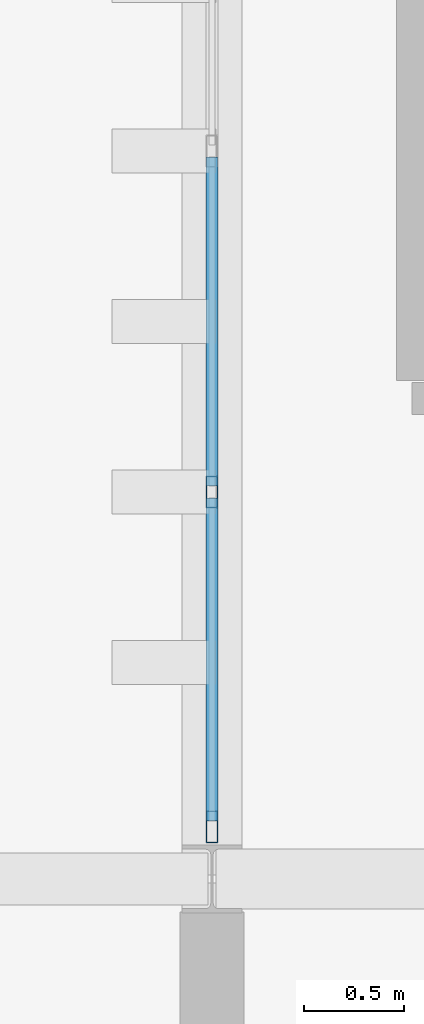
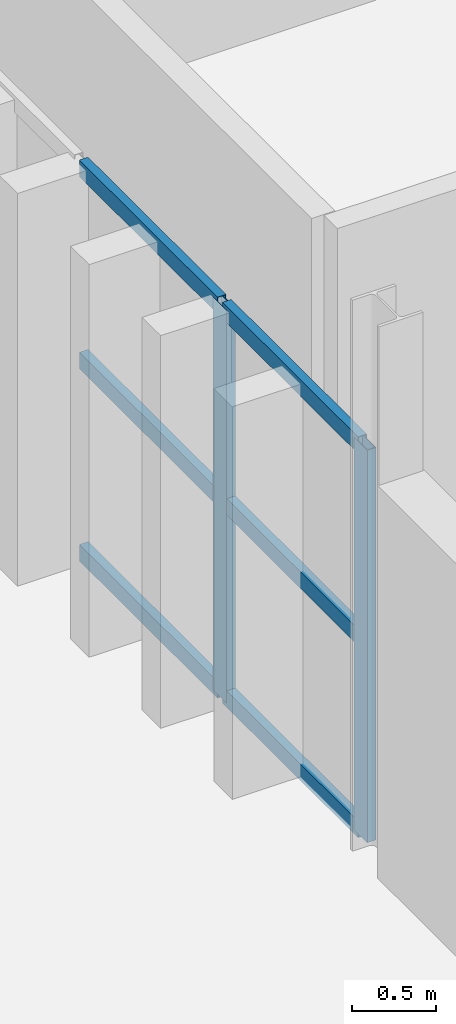
# One storey, part 34 of 102: 8 members, 1 element without a shape of its own.
"""IFC4 building model written with IfcOpenShell, lengths in metres."""

from ifc_helpers import new_model, si_unit, direction, frame, origin, origin_2d, place, context, subcontext, project, spatial, hollow_rectangle, extrude, material, layer, layer_set, material_profile, profile_set, type_object, element, aggregate, save


model = new_model("IFC4")

# Units and contexts
model_context = context("Model", 3, precision=1e-05, world=origin(), true_north=direction((0.0, 1.0)))
body_context = subcontext(model_context, "Body", "Model", "MODEL_VIEW")
ifc_project = project(units=[si_unit("LENGTHUNIT", "METRE"), si_unit("AREAUNIT", "SQUARE_METRE"), si_unit("VOLUMEUNIT", "CUBIC_METRE"), si_unit("PLANEANGLEUNIT", "RADIAN"), si_unit("MASSUNIT", "GRAM", prefix="KILO")], contexts=[model_context])

# Site, building, storey
site_placement = place(None, origin())
site = spatial("IfcSite", under=ifc_project, at=site_placement, CompositionType="ELEMENT")
building_placement = place(site_placement, origin())
building = spatial("IfcBuilding", under=site, at=building_placement, Name="Barlavento Convention Centre", CompositionType="ELEMENT")
storey_placement = place(building_placement, frame((0.0, 0.0, 22.800048828125)))
storey = spatial("IfcBuildingStorey", under=building, at=storey_placement, Name="L04", CompositionType="ELEMENT", Elevation=22.800048828125)

# Curtain wall, members
ifc_material_1 = material(Name="Powder-coated aluminium and Low-E glass", Category="aluminium")
ifc_layer = layer(ifc_material_1, 0.18505859375)
ifc_layer_set = layer_set([ifc_layer], Name="ARC-CW-CONF-L04")
curtain_wall_type = type_object("IfcCurtainWallType", Name="ARC-CW-CONF-L04", PredefinedType="NOTDEFINED", material=ifc_layer_set)
curtain_wall_placement = place(storey_placement, origin())
curtain_wall = element("IfcCurtainWall", 1, at=curtain_wall_placement, inside=storey, type_object=curtain_wall_type, Name="L04 unitised curtain wall CW09", PredefinedType="NOTDEFINED")
ifc_material_2 = material(Name="Powder-coated aluminium", Category="aluminium")
ifc_material_profile_1 = material_profile(ifc_material_2, hollow_rectangle(XDim=0.06005859375, YDim=0.159912109375, WallThickness=0.00390625, at=origin_2d()), Name="AL-MULL 60x160x4")
ifc_profile_set_1 = profile_set([ifc_material_profile_1], Name="Powder-coated aluminium")
member_type_1 = type_object("IfcMemberType", Name="ARC-CWM-60X160", PredefinedType="MULLION", material=ifc_profile_set_1)
member_1_placement = place(storey_placement, frame((153.0, 45.260009765625, 0.0), z_axis=(0.0, 0.0, 1.0), x_axis=(-1.0, 0.0, 0.0)))
member_1 = element("IfcMember", 2, at=member_1_placement, type_object=member_type_1, Name="CW09 mullion 1", PredefinedType="MULLION", context=body_context, shape_type="SweptSolid", body=[
    extrude(hollow_rectangle(XDim=0.06005859375, YDim=0.159912109375, WallThickness=0.00390625, at=origin_2d()), origin(), (0.0, 0.0, 1.0), 2.849853515625),
])
member_2_placement = place(storey_placement, frame((153.0, 46.931884765625, 0.0), z_axis=(0.0, 0.0, 1.0), x_axis=(-1.0, 0.0, 0.0)))
member_2 = element("IfcMember", 3, at=member_2_placement, type_object=member_type_1, Name="CW09 mullion 2", PredefinedType="MULLION", context=body_context, shape_type="SweptSolid", body=[
    extrude(hollow_rectangle(XDim=0.06005859375, YDim=0.159912109375, WallThickness=0.00390625, at=origin_2d()), origin(), (0.0, 0.0, 1.0), 2.849853515625),
])
ifc_material_profile_2 = material_profile(ifc_material_2, hollow_rectangle(XDim=0.06005859375, YDim=0.1201171875, WallThickness=0.00390625, at=origin_2d()), Name="AL-TRAN 60x120x4")
ifc_profile_set_2 = profile_set([ifc_material_profile_2], Name="Powder-coated aluminium")
member_type_2 = type_object("IfcMemberType", Name="ARC-CWT-60X120", PredefinedType="USERDEFINED", material=ifc_profile_set_2)
member_3_placement = place(storey_placement, frame((153.0, 45.2900390625, 0.030029296875), z_axis=(0.0, 1.0, 0.0), x_axis=(-1.0, 0.0, 0.0)))
member_3 = element("IfcMember", 4, at=member_3_placement, type_object=member_type_2, Name="CW09 transom 1.1", ObjectType="TRANSOM", PredefinedType="USERDEFINED", context=body_context, shape_type="SweptSolid", body=[
    extrude(hollow_rectangle(XDim=0.06005859375, YDim=0.1201171875, WallThickness=0.00390625, at=origin_2d()), origin(), (0.0, 0.0, 1.0), 1.612060546875),
])
member_4_placement = place(storey_placement, frame((153.0, 45.2900390625, 1.425048828125), z_axis=(0.0, 1.0, 0.0), x_axis=(-1.0, 0.0, 0.0)))
member_4 = element("IfcMember", 5, at=member_4_placement, type_object=member_type_2, Name="CW09 transom 1.2", ObjectType="TRANSOM", PredefinedType="USERDEFINED", context=body_context, shape_type="SweptSolid", body=[
    extrude(hollow_rectangle(XDim=0.06005859375, YDim=0.1201171875, WallThickness=0.00390625, at=origin_2d()), origin(), (0.0, 0.0, 1.0), 1.612060546875),
])
member_5_placement = place(storey_placement, frame((153.0, 45.2900390625, 2.820068359375), z_axis=(0.0, 1.0, 0.0), x_axis=(-1.0, 0.0, 0.0)))
member_5 = element("IfcMember", 6, at=member_5_placement, type_object=member_type_2, Name="CW09 transom 1.3", ObjectType="TRANSOM", PredefinedType="USERDEFINED", context=body_context, shape_type="SweptSolid", body=[
    extrude(hollow_rectangle(XDim=0.06005859375, YDim=0.1201171875, WallThickness=0.00390625, at=origin_2d()), origin(), (0.0, 0.0, 1.0), 1.612060546875),
])
member_6_placement = place(storey_placement, frame((153.0, 46.9619140625, 0.030029296875), z_axis=(0.0, 1.0, 0.0), x_axis=(-1.0, 0.0, 0.0)))
member_6 = element("IfcMember", 7, at=member_6_placement, type_object=member_type_2, Name="CW09 transom 2.1", ObjectType="TRANSOM", PredefinedType="USERDEFINED", context=body_context, shape_type="SweptSolid", body=[
    extrude(hollow_rectangle(XDim=0.06005859375, YDim=0.1201171875, WallThickness=0.00390625, at=origin_2d()), origin(), (0.0, 0.0, 1.0), 1.64208984375),
])
member_7_placement = place(storey_placement, frame((153.0, 46.9619140625, 1.425048828125), z_axis=(0.0, 1.0, 0.0), x_axis=(-1.0, 0.0, 0.0)))
member_7 = element("IfcMember", 8, at=member_7_placement, type_object=member_type_2, Name="CW09 transom 2.2", ObjectType="TRANSOM", PredefinedType="USERDEFINED", context=body_context, shape_type="SweptSolid", body=[
    extrude(hollow_rectangle(XDim=0.06005859375, YDim=0.1201171875, WallThickness=0.00390625, at=origin_2d()), origin(), (0.0, 0.0, 1.0), 1.64208984375),
])
member_8_placement = place(storey_placement, frame((153.0, 46.9619140625, 2.820068359375), z_axis=(0.0, 1.0, 0.0), x_axis=(-1.0, 0.0, 0.0)))
member_8 = element("IfcMember", 9, at=member_8_placement, type_object=member_type_2, Name="CW09 transom 2.3", ObjectType="TRANSOM", PredefinedType="USERDEFINED", context=body_context, shape_type="SweptSolid", body=[
    extrude(hollow_rectangle(XDim=0.06005859375, YDim=0.1201171875, WallThickness=0.00390625, at=origin_2d()), origin(), (0.0, 0.0, 1.0), 1.64208984375),
])
aggregate(curtain_wall, [member_1, member_2, member_3, member_4, member_5, member_6, member_7, member_8])

save(model, "model.ifc")
